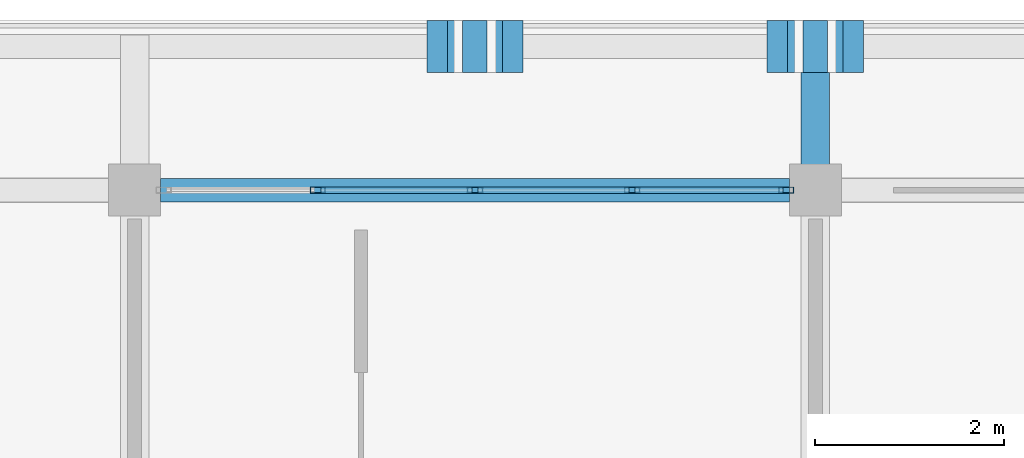
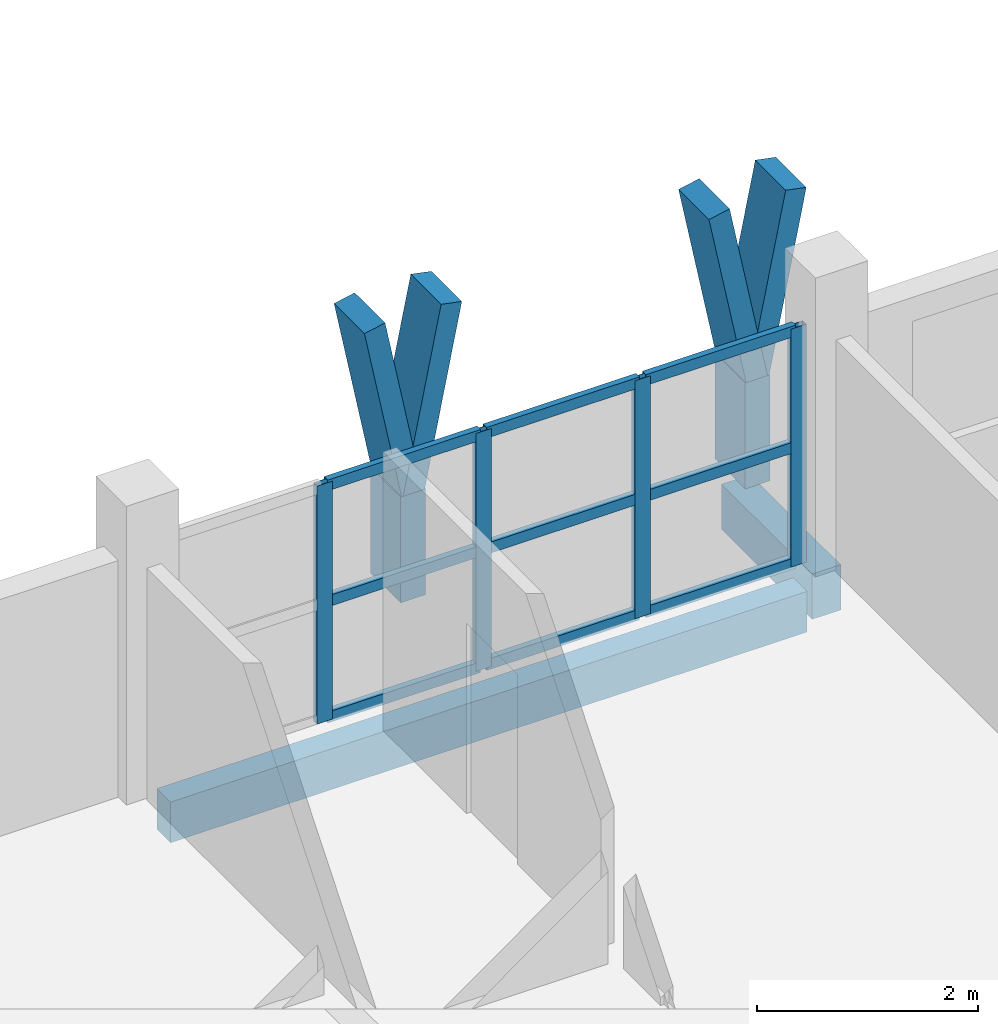
# One storey, part 27 of 60: 19 members, 2 beams, 1 element without a shape of its own.
"""IFC4 building model written with IfcOpenShell, lengths in metres."""

from ifc_helpers import new_model, si_unit, direction, frame, origin, origin_2d, place, context, subcontext, project, spatial, rectangle, hollow_rectangle, extrude, material, material_profile, profile_set, type_object, element, aggregate, save


model = new_model("IFC4")

# Units and contexts
model_context = context("Model", 3, precision=1e-05, world=origin(), true_north=direction((0.0, 1.0)))
body_context = subcontext(model_context, "Body", "Model", "MODEL_VIEW")
ifc_project = project(units=[si_unit("LENGTHUNIT", "METRE"), si_unit("AREAUNIT", "SQUARE_METRE"), si_unit("VOLUMEUNIT", "CUBIC_METRE"), si_unit("PLANEANGLEUNIT", "RADIAN"), si_unit("MASSUNIT", "GRAM", prefix="KILO")], contexts=[model_context])

# Site, building, storey
site_placement = place(None, origin())
site = spatial("IfcSite", under=ifc_project, at=site_placement, CompositionType="ELEMENT")
building_placement = place(site_placement, origin())
building = spatial("IfcBuilding", under=site, at=building_placement, Name="Suanplinth Sawtooth Commons", CompositionType="ELEMENT")
storey_placement = place(building_placement, frame((0.0, 0.0, 31.5)))
storey = spatial("IfcBuildingStorey", under=building, at=storey_placement, Name="L09", CompositionType="ELEMENT", Elevation=31.5)

# Beams
ifc_material_1 = material(Name="Precast concrete C40/50", Category="concrete")
ifc_material_profile_1 = material_profile(ifc_material_1, rectangle(XDim=0.300048828125, YDim=0.5, at=origin_2d()), Name="PC-BM 300x500")
ifc_profile_set_1 = profile_set([ifc_material_profile_1], Name="Precast concrete C40/50")
beam_type_1 = type_object("IfcBeamType", Name="B-07", PredefinedType="BEAM", material=ifc_profile_set_1)
beam_1_placement = place(storey_placement, frame((172.800048828125, 122.39990234375, -0.429931640625), z_axis=(0.0, 1.0, 0.0), x_axis=(-1.0, 0.0, 0.0)))
element("IfcBeam", 1, at=beam_1_placement, inside=storey, type_object=beam_type_1, Name="Balcony Outrigger L09-B-N-24", PredefinedType="BEAM", context=body_context, shape_type="SweptSolid", body=[
    extrude(rectangle(XDim=0.300048828125, YDim=0.5, at=origin_2d()), origin(), (0.0, 0.0, 1.0), 1.64013671875),
])
ifc_material_profile_2 = material_profile(ifc_material_1, rectangle(XDim=0.25, YDim=0.449951171875, at=origin_2d()), Name="PC-SP 250x450")
ifc_profile_set_2 = profile_set([ifc_material_profile_2], Name="Precast concrete C40/50")
beam_type_2 = type_object("IfcBeamType", Name="B-09", PredefinedType="SPANDREL", material=ifc_profile_set_2)
beam_2_placement = place(storey_placement, frame((165.875, 122.39990234375, -0.47509765625), z_axis=(1.0, 0.0, 0.0), x_axis=(0.0, 1.0, 0.0)))
element("IfcBeam", 2, at=beam_2_placement, inside=storey, type_object=beam_type_2, Name="BMX-L09-B-23-17", PredefinedType="SPANDREL", context=body_context, shape_type="SweptSolid", body=[
    extrude(rectangle(XDim=0.25, YDim=0.449951171875, at=origin_2d()), origin(), (0.0, 0.0, 1.0), 6.64990234375),
])

# Members
ifc_material_2 = material(Name="Pigmented precast concrete C40/50", Category="concrete")
ifc_material_profile_3 = material_profile(ifc_material_2, rectangle(XDim=0.260009765625, YDim=0.550048828125, at=origin_2d()), Name="PC-FIN 260x550")
ifc_profile_set_3 = profile_set([ifc_material_profile_3], Name="Pigmented precast concrete C40/50")
member_type_1 = type_object("IfcMemberType", Name="M-09", PredefinedType="USERDEFINED", material=ifc_profile_set_3)
for number, where, z_axis, x_axis, name in (
    (3, (169.199951171875, 123.919921875, 0.0), (0.0, 0.0, 1.0), (1.0, 0.0, 0.0), "Y-Blade Stem L09-B-N-05"),
    (4, (172.800048828125, 123.919921875, 0.0), (0.0, 0.0, 1.0), (1.0, 0.0, 0.0), "Y-Blade Stem L09-B-N-06"),
):
    element("IfcMember", number, at=place(storey_placement, frame(where, z_axis=z_axis, x_axis=x_axis)), inside=storey, type_object=member_type_1, Name=name, ObjectType="SHADING FIN", PredefinedType="USERDEFINED", context=body_context, shape_type="SweptSolid", body=[
        extrude(rectangle(XDim=0.260009765625, YDim=0.550048828125, at=origin_2d()), origin(), (0.0, 0.0, 1.0), 1.169921875),
    ])
ifc_material_profile_4 = material_profile(ifc_material_2, rectangle(XDim=0.219970703125, YDim=0.550048828125, at=origin_2d()), Name="PC-FIN 220x550")
ifc_profile_set_4 = profile_set([ifc_material_profile_4], Name="Pigmented precast concrete C40/50")
member_type_2 = type_object("IfcMemberType", Name="M-10", PredefinedType="USERDEFINED", material=ifc_profile_set_4)
for number, where, z_axis, x_axis, name in (
    (5, (169.199951171875, 123.919921875, 1.1298828125), (-0.196415357203, 0.0, 0.980520783795), (0.980520783795, 0.0, 0.196415357203), "Y-Blade Arm L L09-B-N-05"),
    (6, (169.199951171875, 123.919921875, 1.1298828125), (0.196530428008, 0.0, 0.98049772609), (-0.98049772609, 0.0, 0.196530428008), "Y-Blade Arm R L09-B-N-05"),
    (7, (172.800048828125, 123.919921875, 1.1298828125), (-0.196530428008, 0.0, 0.98049772609), (0.98049772609, 0.0, 0.196530428008), "Y-Blade Arm L L09-B-N-06"),
    (8, (172.800048828125, 123.919921875, 1.1298828125), (0.196415357203, 0.0, 0.980520783795), (-0.980520783795, 0.0, 0.196415357203), "Y-Blade Arm R L09-B-N-06"),
):
    element("IfcMember", number, at=place(storey_placement, frame(where, z_axis=z_axis, x_axis=x_axis)), inside=storey, type_object=member_type_2, Name=name, ObjectType="SHADING FIN", PredefinedType="USERDEFINED", context=body_context, shape_type="SweptSolid", body=[
        extrude(rectangle(XDim=0.219970703125, YDim=0.550048828125, at=origin_2d()), origin(), (0.0, 0.0, 1.0), 2.039794921875),
    ])

# Curtain wall, members
ifc_material_3 = material(Name="Anodized aluminium and low-E glazing", Category="aluminium")
curtain_wall_type = type_object("IfcCurtainWallType", Name="CW-06", PredefinedType="USERDEFINED", material=ifc_material_3)
curtain_wall_placement = place(storey_placement, origin())
curtain_wall = element("IfcCurtainWall", 9, at=curtain_wall_placement, inside=storey, type_object=curtain_wall_type, Name="Curtain Wall CW-L09-B-LOUNGE-23", ObjectType="CURTAIN WALL", PredefinedType="USERDEFINED")
ifc_material_4 = material(Name="Anodized aluminium 6063-T6", Category="aluminium")
ifc_material_profile_5 = material_profile(ifc_material_4, hollow_rectangle(XDim=0.06494140625, YDim=0.159912109375, WallThickness=0.00390625, at=origin_2d()), Name="ALU-MUL 65x160")
ifc_profile_set_5 = profile_set([ifc_material_profile_5], Name="Anodized aluminium 6063-T6")
member_type_3 = type_object("IfcMemberType", Name="M-13", PredefinedType="MULLION", material=ifc_profile_set_5)
member_1_placement = place(storey_placement, frame((167.53759765625, 122.39990234375, 0.0), z_axis=(0.0, 0.0, 1.0), x_axis=(0.0, 1.0, 0.0)))
member_1 = element("IfcMember", 10, at=member_1_placement, type_object=member_type_3, Name="CW-06 mullion 2", PredefinedType="MULLION", context=body_context, shape_type="SweptSolid", body=[
    extrude(hollow_rectangle(XDim=0.06494140625, YDim=0.159912109375, WallThickness=0.00390625, at=origin_2d()), origin(), (0.0, 0.0, 1.0), 2.6298828125),
])
member_2_placement = place(storey_placement, frame((169.199951171875, 122.39990234375, 0.0), z_axis=(0.0, 0.0, 1.0), x_axis=(0.0, 1.0, 0.0)))
member_2 = element("IfcMember", 11, at=member_2_placement, type_object=member_type_3, Name="CW-06 mullion 3", PredefinedType="MULLION", context=body_context, shape_type="SweptSolid", body=[
    extrude(hollow_rectangle(XDim=0.06494140625, YDim=0.159912109375, WallThickness=0.00390625, at=origin_2d()), origin(), (0.0, 0.0, 1.0), 2.6298828125),
])
member_3_placement = place(storey_placement, frame((170.862548828125, 122.39990234375, 0.0), z_axis=(0.0, 0.0, 1.0), x_axis=(0.0, 1.0, 0.0)))
member_3 = element("IfcMember", 12, at=member_3_placement, type_object=member_type_3, Name="CW-06 mullion 4", PredefinedType="MULLION", context=body_context, shape_type="SweptSolid", body=[
    extrude(hollow_rectangle(XDim=0.06494140625, YDim=0.159912109375, WallThickness=0.00390625, at=origin_2d()), origin(), (0.0, 0.0, 1.0), 2.6298828125),
])
member_4_placement = place(storey_placement, frame((172.492431640625, 122.39990234375, 0.0), z_axis=(0.0, 0.0, 1.0), x_axis=(0.0, 1.0, 0.0)))
member_4 = element("IfcMember", 13, at=member_4_placement, type_object=member_type_3, Name="CW-06 mullion 5", PredefinedType="MULLION", context=body_context, shape_type="SweptSolid", body=[
    extrude(hollow_rectangle(XDim=0.06494140625, YDim=0.159912109375, WallThickness=0.00390625, at=origin_2d()), origin(), (0.0, 0.0, 1.0), 2.6298828125),
])
ifc_material_profile_6 = material_profile(ifc_material_4, hollow_rectangle(XDim=0.06494140625, YDim=0.1201171875, WallThickness=0.00390625, at=origin_2d()), Name="ALU-TRN 65x120")
ifc_profile_set_6 = profile_set([ifc_material_profile_6], Name="Anodized aluminium 6063-T6")
member_type_4 = type_object("IfcMemberType", Name="M-15", PredefinedType="USERDEFINED", material=ifc_profile_set_6)
member_5_placement = place(storey_placement, frame((167.570068359375, 122.39990234375, 0.032470703125), z_axis=(1.0, 0.0, 0.0), x_axis=(0.0, 1.0, 0.0)))
member_5 = element("IfcMember", 14, at=member_5_placement, type_object=member_type_4, Name="CW-06 transom 2.1", ObjectType="TRANSOM", PredefinedType="USERDEFINED", context=body_context, shape_type="SweptSolid", body=[
    extrude(hollow_rectangle(XDim=0.06494140625, YDim=0.1201171875, WallThickness=0.00390625, at=origin_2d()), origin(), (0.0, 0.0, 1.0), 1.597412109375),
])
member_6_placement = place(storey_placement, frame((167.570068359375, 122.39990234375, 1.31494140625), z_axis=(1.0, 0.0, 0.0), x_axis=(0.0, 1.0, 0.0)))
member_6 = element("IfcMember", 15, at=member_6_placement, type_object=member_type_4, Name="CW-06 transom 2.2", ObjectType="TRANSOM", PredefinedType="USERDEFINED", context=body_context, shape_type="SweptSolid", body=[
    extrude(hollow_rectangle(XDim=0.06494140625, YDim=0.1201171875, WallThickness=0.00390625, at=origin_2d()), origin(), (0.0, 0.0, 1.0), 1.597412109375),
])
member_7_placement = place(storey_placement, frame((167.570068359375, 122.39990234375, 2.597412109375), z_axis=(1.0, 0.0, 0.0), x_axis=(0.0, 1.0, 0.0)))
member_7 = element("IfcMember", 16, at=member_7_placement, type_object=member_type_4, Name="CW-06 transom 2.3", ObjectType="TRANSOM", PredefinedType="USERDEFINED", context=body_context, shape_type="SweptSolid", body=[
    extrude(hollow_rectangle(XDim=0.06494140625, YDim=0.1201171875, WallThickness=0.00390625, at=origin_2d()), origin(), (0.0, 0.0, 1.0), 1.597412109375),
])
member_8_placement = place(storey_placement, frame((169.232421875, 122.39990234375, 0.032470703125), z_axis=(1.0, 0.0, 0.0), x_axis=(0.0, 1.0, 0.0)))
member_8 = element("IfcMember", 17, at=member_8_placement, type_object=member_type_4, Name="CW-06 transom 3.1", ObjectType="TRANSOM", PredefinedType="USERDEFINED", context=body_context, shape_type="SweptSolid", body=[
    extrude(hollow_rectangle(XDim=0.06494140625, YDim=0.1201171875, WallThickness=0.00390625, at=origin_2d()), origin(), (0.0, 0.0, 1.0), 1.59765625),
])
member_9_placement = place(storey_placement, frame((169.232421875, 122.39990234375, 1.31494140625), z_axis=(1.0, 0.0, 0.0), x_axis=(0.0, 1.0, 0.0)))
member_9 = element("IfcMember", 18, at=member_9_placement, type_object=member_type_4, Name="CW-06 transom 3.2", ObjectType="TRANSOM", PredefinedType="USERDEFINED", context=body_context, shape_type="SweptSolid", body=[
    extrude(hollow_rectangle(XDim=0.06494140625, YDim=0.1201171875, WallThickness=0.00390625, at=origin_2d()), origin(), (0.0, 0.0, 1.0), 1.59765625),
])
member_10_placement = place(storey_placement, frame((169.232421875, 122.39990234375, 2.597412109375), z_axis=(1.0, 0.0, 0.0), x_axis=(0.0, 1.0, 0.0)))
member_10 = element("IfcMember", 19, at=member_10_placement, type_object=member_type_4, Name="CW-06 transom 3.3", ObjectType="TRANSOM", PredefinedType="USERDEFINED", context=body_context, shape_type="SweptSolid", body=[
    extrude(hollow_rectangle(XDim=0.06494140625, YDim=0.1201171875, WallThickness=0.00390625, at=origin_2d()), origin(), (0.0, 0.0, 1.0), 1.59765625),
])
member_11_placement = place(storey_placement, frame((170.89501953125, 122.39990234375, 0.032470703125), z_axis=(1.0, 0.0, 0.0), x_axis=(0.0, 1.0, 0.0)))
member_11 = element("IfcMember", 20, at=member_11_placement, type_object=member_type_4, Name="CW-06 transom 4.1", ObjectType="TRANSOM", PredefinedType="USERDEFINED", context=body_context, shape_type="SweptSolid", body=[
    extrude(hollow_rectangle(XDim=0.06494140625, YDim=0.1201171875, WallThickness=0.00390625, at=origin_2d()), origin(), (0.0, 0.0, 1.0), 1.56494140625),
])
member_12_placement = place(storey_placement, frame((170.89501953125, 122.39990234375, 1.31494140625), z_axis=(1.0, 0.0, 0.0), x_axis=(0.0, 1.0, 0.0)))
member_12 = element("IfcMember", 21, at=member_12_placement, type_object=member_type_4, Name="CW-06 transom 4.2", ObjectType="TRANSOM", PredefinedType="USERDEFINED", context=body_context, shape_type="SweptSolid", body=[
    extrude(hollow_rectangle(XDim=0.06494140625, YDim=0.1201171875, WallThickness=0.00390625, at=origin_2d()), origin(), (0.0, 0.0, 1.0), 1.56494140625),
])
member_13_placement = place(storey_placement, frame((170.89501953125, 122.39990234375, 2.597412109375), z_axis=(1.0, 0.0, 0.0), x_axis=(0.0, 1.0, 0.0)))
member_13 = element("IfcMember", 22, at=member_13_placement, type_object=member_type_4, Name="CW-06 transom 4.3", ObjectType="TRANSOM", PredefinedType="USERDEFINED", context=body_context, shape_type="SweptSolid", body=[
    extrude(hollow_rectangle(XDim=0.06494140625, YDim=0.1201171875, WallThickness=0.00390625, at=origin_2d()), origin(), (0.0, 0.0, 1.0), 1.56494140625),
])
aggregate(curtain_wall, [member_1, member_2, member_3, member_4, member_5, member_6, member_7, member_8, member_9, member_10, member_11, member_12, member_13])

save(model, "model.ifc")
